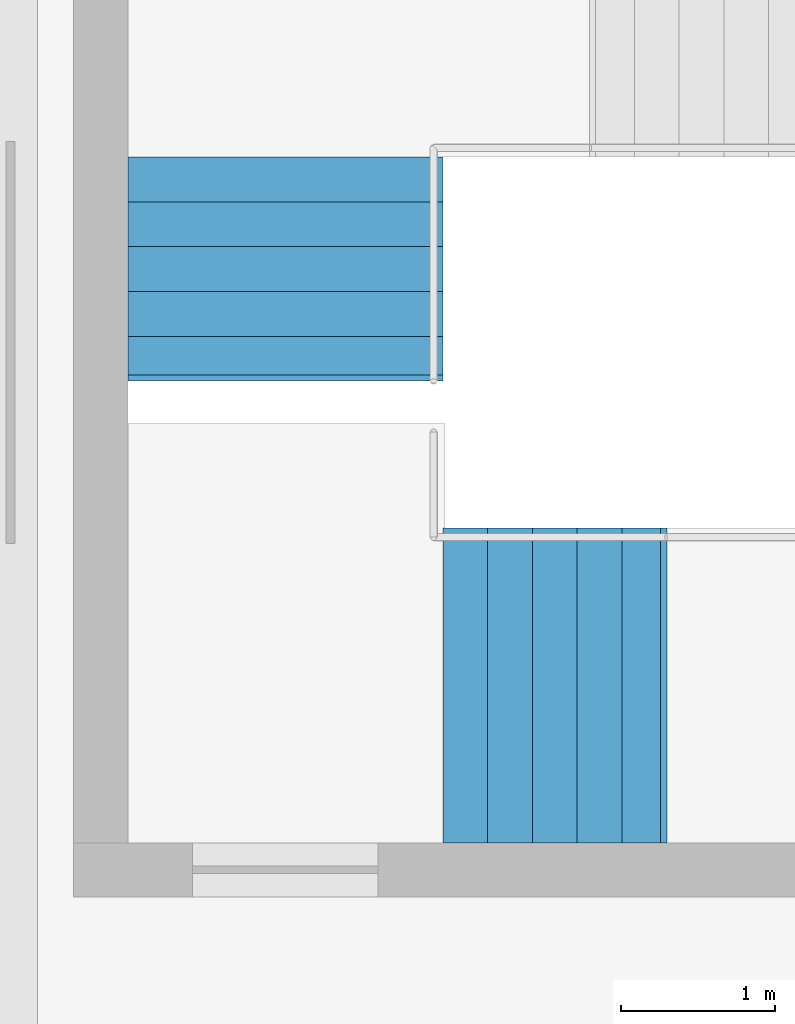
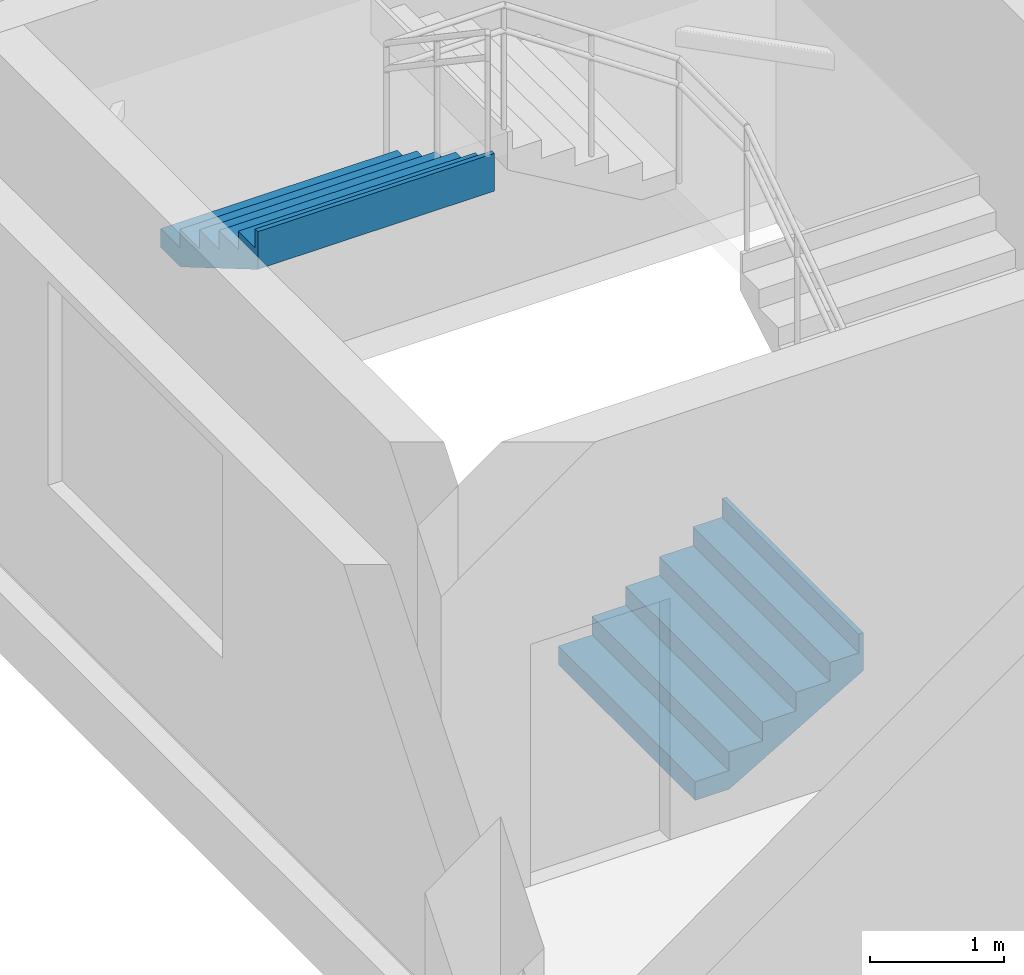
# One storey, part 59 of 66: 2 stair flights, 1 element without a shape of its own.
"""IFC4 building model written with IfcOpenShell, lengths in metres."""

from ifc_helpers import new_model, si_unit, direction, frame, origin, place, context, subcontext, project, spatial, triangles, material, type_object, element, aggregate, save


model = new_model("IFC4")

# Units and contexts
model_context = context("Model", 3, precision=1e-05, world=origin(), true_north=direction((0.0, 1.0)))
body_context = subcontext(model_context, "Body", "Model", "MODEL_VIEW")
ifc_project = project(units=[si_unit("LENGTHUNIT", "METRE"), si_unit("AREAUNIT", "SQUARE_METRE"), si_unit("VOLUMEUNIT", "CUBIC_METRE"), si_unit("PLANEANGLEUNIT", "RADIAN"), si_unit("MASSUNIT", "GRAM", prefix="KILO")], contexts=[model_context])

# Site, building, storey
site_placement = place(None, origin())
site = spatial("IfcSite", under=ifc_project, at=site_placement, CompositionType="ELEMENT")
building_placement = place(site_placement, origin())
building = spatial("IfcBuilding", under=site, at=building_placement, Name="Sillaruma Civic Art Gallery", CompositionType="ELEMENT")
storey_placement = place(building_placement, frame((0.0, 0.0, 62.219970703125)))
storey = spatial("IfcBuildingStorey", under=building, at=storey_placement, Name="L12", CompositionType="ELEMENT", Elevation=62.219970703125)

# Stair, stair flights
ifc_material = material(Name="Concrete H35 (35 MPa)", Category="concrete")
stair_type = type_object("IfcStairType", Name="STR-4F-24", PredefinedType="USERDEFINED", material=ifc_material)
stair_placement = place(storey_placement, origin())
stair = element("IfcStair", 1, at=stair_placement, inside=storey, type_object=stair_type, Name="Protected Exit Stair ST-03 (West Bar South) (L12)", ObjectType="THREE_RETURN_STAIR", PredefinedType="USERDEFINED")
stair_flight_type = type_object("IfcStairFlightType", Name="SFL-STR-6", PredefinedType="STRAIGHT", material=ifc_material)
stair_flight_1_placement = place(storey_placement, frame((64.800048828125, 32.429931640625, 0.0), z_axis=(0.0, 0.0, 1.0), x_axis=(1.0, 0.0, 0.0)))
stair_flight_1 = element("IfcStairFlight", 2, at=stair_flight_1_placement, type_object=stair_flight_type, Name="ST-03 flight 1", NumberOfRisers=6, NumberOfTreads=5, PredefinedType="STRAIGHT", RiserHeight=0.17, TreadLength=0.29, context=body_context, shape_type="Tessellation", body=[
    triangles([(0.0, -1.02001953125, 0.0), (0.29, -1.02001953125, 0.0), (0.296365, -1.02001953125, 0.0), (0.58, -1.02001953125, 0.166269), (0.87, -1.02001953125, 0.336269), (1.16, -1.02001953125, 0.506269), (1.409951, -1.02001953125, 0.652792), (1.449951, -1.02001953125, 0.67624), (1.449951, -1.02001953125, 1.02), (1.409951, -1.02001953125, 1.02), (1.409951, -1.02001953125, 0.85), (1.16, -1.02001953125, 0.85), (1.16, -1.02001953125, 0.68), (0.87, -1.02001953125, 0.68), (0.87, -1.02001953125, 0.51), (0.58, -1.02001953125, 0.51), (0.58, -1.02001953125, 0.34), (0.296365, -1.02001953125, 0.34), (0.29, -1.02001953125, 0.34), (0.29, -1.02001953125, 0.17), (0.0, -1.02001953125, 0.17), (0.0, -0.05, 0.0), (0.29, -0.05, 0.0), (0.296365, -0.05, 0.0), (0.58, -0.05, 0.166269), (0.87, -0.05, 0.336269), (1.16, -0.05, 0.506269), (1.409951, -0.05, 0.652792), (1.449951, -0.05, 0.67624), (1.449951, -0.05, 1.02), (1.409951, -0.05, 1.02), (1.409951, -0.05, 0.85), (1.16, -0.05, 0.85), (1.16, -0.05, 0.68), (0.87, -0.05, 0.68), (0.87, -0.05, 0.51), (0.58, -0.05, 0.51), (0.58, -0.05, 0.34), (0.296365, -0.05, 0.34), (0.29, -0.05, 0.34), (0.29, -0.05, 0.17), (0.0, -0.05, 0.17), (0.0, -0.0375, 0.0), (0.29, -0.0375, 0.0), (0.296365, -0.0375, 0.0), (0.58, -0.0375, 0.166269), (0.87, -0.0375, 0.336269), (1.16, -0.0375, 0.506269), (1.409951, -0.0375, 0.652792), (1.449951, -0.0375, 0.67624), (1.449951, -0.0375, 1.02), (1.409951, -0.0375, 1.02), (1.409951, -0.0375, 0.85), (1.16, -0.0375, 0.85), (1.16, -0.0375, 0.68), (0.87, -0.0375, 0.68), (0.87, -0.0375, 0.51), (0.58, -0.0375, 0.51), (0.58, -0.0375, 0.34), (0.296365, -0.0375, 0.34), (0.29, -0.0375, 0.34), (0.29, -0.0375, 0.17), (0.0, -0.0375, 0.17), (0.0, -0.025, 0.0), (0.29, -0.025, 0.0), (0.296365, -0.025, 0.0), (0.58, -0.025, 0.166269), (0.87, -0.025, 0.336269), (1.16, -0.025, 0.506269), (1.409951, -0.025, 0.652792), (1.449951, -0.025, 0.67624), (1.449951, -0.025, 1.02), (1.409951, -0.025, 1.02), (1.409951, -0.025, 0.85), (1.16, -0.025, 0.85), (1.16, -0.025, 0.68), (0.87, -0.025, 0.68), (0.87, -0.025, 0.51), (0.58, -0.025, 0.51), (0.58, -0.025, 0.34), (0.296365, -0.025, 0.34), (0.29, -0.025, 0.34), (0.29, -0.025, 0.17), (0.0, -0.025, 0.17), (0.0, -0.0125, 0.0), (0.29, -0.0125, 0.0), (0.296365, -0.0125, 0.0), (0.58, -0.0125, 0.166269), (0.87, -0.0125, 0.336269), (1.16, -0.0125, 0.506269), (1.409951, -0.0125, 0.652792), (1.449951, -0.0125, 0.67624), (1.449951, -0.0125, 1.02), (1.409951, -0.0125, 1.02), (1.409951, -0.0125, 0.85), (1.16, -0.0125, 0.85), (1.16, -0.0125, 0.68), (0.87, -0.0125, 0.68), (0.87, -0.0125, 0.51), (0.58, -0.0125, 0.51), (0.58, -0.0125, 0.34), (0.296365, -0.0125, 0.34), (0.29, -0.0125, 0.34), (0.29, -0.0125, 0.17), (0.0, -0.0125, 0.17), (0.0, 0.0, 0.0), (0.29, 0.0, 0.0), (0.296365, 0.0, 0.0), (0.58, 0.0, 0.166269), (0.87, 0.0, 0.336269), (1.16, 0.0, 0.506269), (1.409951, 0.0, 0.652792), (1.449951, 0.0, 0.67624), (1.449951, 0.0, 1.02), (1.409951, 0.0, 1.02), (1.409951, 0.0, 0.85), (1.16, 0.0, 0.85), (1.16, 0.0, 0.68), (0.87, 0.0, 0.68), (0.87, 0.0, 0.51), (0.58, 0.0, 0.51), (0.58, 0.0, 0.34), (0.296365, 0.0, 0.34), (0.29, 0.0, 0.34), (0.29, 0.0, 0.17), (0.0, 0.0, 0.17), (0.0, 0.0125, 0.0), (0.29, 0.0125, 0.0), (0.296365, 0.0125, 0.0), (0.58, 0.0125, 0.166269), (0.87, 0.0125, 0.336269), (1.16, 0.0125, 0.506269), (1.409951, 0.0125, 0.652792), (1.449951, 0.0125, 0.67624), (1.449951, 0.0125, 1.02), (1.409951, 0.0125, 1.02), (1.409951, 0.0125, 0.85), (1.16, 0.0125, 0.85), (1.16, 0.0125, 0.68), (0.87, 0.0125, 0.68), (0.87, 0.0125, 0.51), (0.58, 0.0125, 0.51), (0.58, 0.0125, 0.34), (0.296365, 0.0125, 0.34), (0.29, 0.0125, 0.34), (0.29, 0.0125, 0.17), (0.0, 0.0125, 0.17), (0.0, 0.025, 0.0), (0.29, 0.025, 0.0), (0.296365, 0.025, 0.0), (0.58, 0.025, 0.166269), (0.87, 0.025, 0.336269), (1.16, 0.025, 0.506269), (1.409951, 0.025, 0.652792), (1.449951, 0.025, 0.67624), (1.449951, 0.025, 1.02), (1.409951, 0.025, 1.02), (1.409951, 0.025, 0.85), (1.16, 0.025, 0.85), (1.16, 0.025, 0.68), (0.87, 0.025, 0.68), (0.87, 0.025, 0.51), (0.58, 0.025, 0.51), (0.58, 0.025, 0.34), (0.296365, 0.025, 0.34), (0.29, 0.025, 0.34), (0.29, 0.025, 0.17), (0.0, 0.025, 0.17), (0.0, 0.0375, 0.0), (0.29, 0.0375, 0.0), (0.296365, 0.0375, 0.0), (0.58, 0.0375, 0.166269), (0.87, 0.0375, 0.336269), (1.16, 0.0375, 0.506269), (1.409951, 0.0375, 0.652792), (1.449951, 0.0375, 0.67624), (1.449951, 0.0375, 1.02), (1.409951, 0.0375, 1.02), (1.409951, 0.0375, 0.85), (1.16, 0.0375, 0.85), (1.16, 0.0375, 0.68), (0.87, 0.0375, 0.68), (0.87, 0.0375, 0.51), (0.58, 0.0375, 0.51), (0.58, 0.0375, 0.34), (0.296365, 0.0375, 0.34), (0.29, 0.0375, 0.34), (0.29, 0.0375, 0.17), (0.0, 0.0375, 0.17), (0.0, 0.05, 0.0), (0.29, 0.05, 0.0), (0.296365, 0.05, 0.0), (0.58, 0.05, 0.166269), (0.87, 0.05, 0.336269), (1.16, 0.05, 0.506269), (1.409951, 0.05, 0.652792), (1.449951, 0.05, 0.67624), (1.449951, 0.05, 1.02), (1.409951, 0.05, 1.02), (1.409951, 0.05, 0.85), (1.16, 0.05, 0.85), (1.16, 0.05, 0.68), (0.87, 0.05, 0.68), (0.87, 0.05, 0.51), (0.58, 0.05, 0.51), (0.58, 0.05, 0.34), (0.296365, 0.05, 0.34), (0.29, 0.05, 0.34), (0.29, 0.05, 0.17), (0.0, 0.05, 0.17), (0.0, 1.02001953125, 0.0), (0.29, 1.02001953125, 0.0), (0.296365, 1.02001953125, 0.0), (0.58, 1.02001953125, 0.166269), (0.87, 1.02001953125, 0.336269), (1.16, 1.02001953125, 0.506269), (1.409951, 1.02001953125, 0.652792), (1.449951, 1.02001953125, 0.67624), (1.449951, 1.02001953125, 1.02), (1.409951, 1.02001953125, 1.02), (1.409951, 1.02001953125, 0.85), (1.16, 1.02001953125, 0.85), (1.16, 1.02001953125, 0.68), (0.87, 1.02001953125, 0.68), (0.87, 1.02001953125, 0.51), (0.58, 1.02001953125, 0.51), (0.58, 1.02001953125, 0.34), (0.296365, 1.02001953125, 0.34), (0.29, 1.02001953125, 0.34), (0.29, 1.02001953125, 0.17), (0.0, 1.02001953125, 0.17)], [[1, 2, 20], [1, 20, 21], [2, 3, 18], [2, 18, 20], [20, 18, 19], [3, 4, 17], [3, 17, 18], [4, 5, 15], [4, 15, 17], [17, 15, 16], [5, 6, 13], [5, 13, 15], [15, 13, 14], [6, 7, 11], [6, 11, 13], [13, 11, 12], [7, 8, 9], [7, 9, 11], [11, 9, 10], [230, 212, 211], [231, 230, 211], [228, 213, 212], [230, 228, 212], [229, 228, 230], [227, 214, 213], [228, 227, 213], [225, 215, 214], [227, 225, 214], [226, 225, 227], [223, 216, 215], [225, 223, 215], [224, 223, 225], [221, 217, 216], [223, 221, 216], [222, 221, 223], [219, 218, 217], [221, 219, 217], [220, 219, 221], [2, 1, 22], [2, 22, 23], [3, 2, 23], [3, 23, 24], [4, 3, 24], [4, 24, 25], [5, 4, 25], [5, 25, 26], [6, 5, 26], [6, 26, 27], [7, 6, 27], [7, 27, 28], [8, 7, 28], [8, 28, 29], [9, 8, 29], [9, 29, 30], [10, 9, 30], [10, 30, 31], [11, 10, 31], [11, 31, 32], [12, 11, 32], [12, 32, 33], [13, 12, 33], [13, 33, 34], [14, 13, 34], [14, 34, 35], [15, 14, 35], [15, 35, 36], [16, 15, 36], [16, 36, 37], [17, 16, 37], [17, 37, 38], [18, 17, 38], [18, 38, 39], [19, 18, 39], [19, 39, 40], [20, 19, 40], [20, 40, 41], [21, 20, 41], [21, 41, 42], [1, 21, 42], [1, 42, 22], [23, 22, 43], [23, 43, 44], [24, 23, 44], [24, 44, 45], [25, 24, 45], [25, 45, 46], [26, 25, 46], [26, 46, 47], [27, 26, 47], [27, 47, 48], [28, 27, 48], [28, 48, 49], [29, 28, 49], [29, 49, 50], [30, 29, 50], [30, 50, 51], [31, 30, 51], [31, 51, 52], [32, 31, 52], [32, 52, 53], [33, 32, 53], [33, 53, 54], [34, 33, 54], [34, 54, 55], [35, 34, 55], [35, 55, 56], [36, 35, 56], [36, 56, 57], [37, 36, 57], [37, 57, 58], [38, 37, 58], [38, 58, 59], [39, 38, 59], [39, 59, 60], [40, 39, 60], [40, 60, 61], [41, 40, 61], [41, 61, 62], [42, 41, 62], [42, 62, 63], [22, 42, 63], [22, 63, 43], [44, 43, 64], [44, 64, 65], [45, 44, 65], [45, 65, 66], [46, 45, 66], [46, 66, 67], [47, 46, 67], [47, 67, 68], [48, 47, 68], [48, 68, 69], [49, 48, 69], [49, 69, 70], [50, 49, 70], [50, 70, 71], [51, 50, 71], [51, 71, 72], [52, 51, 72], [52, 72, 73], [53, 52, 73], [53, 73, 74], [54, 53, 74], [54, 74, 75], [55, 54, 75], [55, 75, 76], [56, 55, 76], [56, 76, 77], [57, 56, 77], [57, 77, 78], [58, 57, 78], [58, 78, 79], [59, 58, 79], [59, 79, 80], [60, 59, 80], [60, 80, 81], [61, 60, 81], [61, 81, 82], [62, 61, 82], [62, 82, 83], [63, 62, 83], [63, 83, 84], [43, 63, 84], [43, 84, 64], [65, 64, 85], [65, 85, 86], [66, 65, 86], [66, 86, 87], [67, 66, 87], [67, 87, 88], [68, 67, 88], [68, 88, 89], [69, 68, 89], [69, 89, 90], [70, 69, 90], [70, 90, 91], [71, 70, 91], [71, 91, 92], [72, 71, 92], [72, 92, 93], [73, 72, 93], [73, 93, 94], [74, 73, 94], [74, 94, 95], [75, 74, 95], [75, 95, 96], [76, 75, 96], [76, 96, 97], [77, 76, 97], [77, 97, 98], [78, 77, 98], [78, 98, 99], [79, 78, 99], [79, 99, 100], [80, 79, 100], [80, 100, 101], [81, 80, 101], [81, 101, 102], [82, 81, 102], [82, 102, 103], [83, 82, 103], [83, 103, 104], [84, 83, 104], [84, 104, 105], [64, 84, 105], [64, 105, 85], [86, 85, 106], [86, 106, 107], [87, 86, 107], [87, 107, 108], [88, 87, 108], [88, 108, 109], [89, 88, 109], [89, 109, 110], [90, 89, 110], [90, 110, 111], [91, 90, 111], [91, 111, 112], [92, 91, 112], [92, 112, 113], [93, 92, 113], [93, 113, 114], [94, 93, 114], [94, 114, 115], [95, 94, 115], [95, 115, 116], [96, 95, 116], [96, 116, 117], [97, 96, 117], [97, 117, 118], [98, 97, 118], [98, 118, 119], [99, 98, 119], [99, 119, 120], [100, 99, 120], [100, 120, 121], [101, 100, 121], [101, 121, 122], [102, 101, 122], [102, 122, 123], [103, 102, 123], [103, 123, 124], [104, 103, 124], [104, 124, 125], [105, 104, 125], [105, 125, 126], [85, 105, 126], [85, 126, 106], [107, 106, 127], [107, 127, 128], [108, 107, 128], [108, 128, 129], [109, 108, 129], [109, 129, 130], [110, 109, 130], [110, 130, 131], [111, 110, 131], [111, 131, 132], [112, 111, 132], [112, 132, 133], [113, 112, 133], [113, 133, 134], [114, 113, 134], [114, 134, 135], [115, 114, 135], [115, 135, 136], [116, 115, 136], [116, 136, 137], [117, 116, 137], [117, 137, 138], [118, 117, 138], [118, 138, 139], [119, 118, 139], [119, 139, 140], [120, 119, 140], [120, 140, 141], [121, 120, 141], [121, 141, 142], [122, 121, 142], [122, 142, 143], [123, 122, 143], [123, 143, 144], [124, 123, 144], [124, 144, 145], [125, 124, 145], [125, 145, 146], [126, 125, 146], [126, 146, 147], [106, 126, 147], [106, 147, 127], [128, 127, 148], [128, 148, 149], [129, 128, 149], [129, 149, 150], [130, 129, 150], [130, 150, 151], [131, 130, 151], [131, 151, 152], [132, 131, 152], [132, 152, 153], [133, 132, 153], [133, 153, 154], [134, 133, 154], [134, 154, 155], [135, 134, 155], [135, 155, 156], [136, 135, 156], [136, 156, 157], [137, 136, 157], [137, 157, 158], [138, 137, 158], [138, 158, 159], [139, 138, 159], [139, 159, 160], [140, 139, 160], [140, 160, 161], [141, 140, 161], [141, 161, 162], [142, 141, 162], [142, 162, 163], [143, 142, 163], [143, 163, 164], [144, 143, 164], [144, 164, 165], [145, 144, 165], [145, 165, 166], [146, 145, 166], [146, 166, 167], [147, 146, 167], [147, 167, 168], [127, 147, 168], [127, 168, 148], [149, 148, 169], [149, 169, 170], [150, 149, 170], [150, 170, 171], [151, 150, 171], [151, 171, 172], [152, 151, 172], [152, 172, 173], [153, 152, 173], [153, 173, 174], [154, 153, 174], [154, 174, 175], [155, 154, 175], [155, 175, 176], [156, 155, 176], [156, 176, 177], [157, 156, 177], [157, 177, 178], [158, 157, 178], [158, 178, 179], [159, 158, 179], [159, 179, 180], [160, 159, 180], [160, 180, 181], [161, 160, 181], [161, 181, 182], [162, 161, 182], [162, 182, 183], [163, 162, 183], [163, 183, 184], [164, 163, 184], [164, 184, 185], [165, 164, 185], [165, 185, 186], [166, 165, 186], [166, 186, 187], [167, 166, 187], [167, 187, 188], [168, 167, 188], [168, 188, 189], [148, 168, 189], [148, 189, 169], [170, 169, 190], [170, 190, 191], [171, 170, 191], [171, 191, 192], [172, 171, 192], [172, 192, 193], [173, 172, 193], [173, 193, 194], [174, 173, 194], [174, 194, 195], [175, 174, 195], [175, 195, 196], [176, 175, 196], [176, 196, 197], [177, 176, 197], [177, 197, 198], [178, 177, 198], [178, 198, 199], [179, 178, 199], [179, 199, 200], [180, 179, 200], [180, 200, 201], [181, 180, 201], [181, 201, 202], [182, 181, 202], [182, 202, 203], [183, 182, 203], [183, 203, 204], [184, 183, 204], [184, 204, 205], [185, 184, 205], [185, 205, 206], [186, 185, 206], [186, 206, 207], [187, 186, 207], [187, 207, 208], [188, 187, 208], [188, 208, 209], [189, 188, 209], [189, 209, 210], [169, 189, 210], [169, 210, 190], [191, 190, 211], [191, 211, 212], [192, 191, 212], [192, 212, 213], [193, 192, 213], [193, 213, 214], [194, 193, 214], [194, 214, 215], [195, 194, 215], [195, 215, 216], [196, 195, 216], [196, 216, 217], [197, 196, 217], [197, 217, 218], [198, 197, 218], [198, 218, 219], [199, 198, 219], [199, 219, 220], [200, 199, 220], [200, 220, 221], [201, 200, 221], [201, 221, 222], [202, 201, 222], [202, 222, 223], [203, 202, 223], [203, 223, 224], [204, 203, 224], [204, 224, 225], [205, 204, 225], [205, 225, 226], [206, 205, 226], [206, 226, 227], [207, 206, 227], [207, 227, 228], [208, 207, 228], [208, 228, 229], [209, 208, 229], [209, 229, 230], [210, 209, 230], [210, 230, 231], [190, 210, 231], [190, 231, 211]], closed=True),
])
stair_flight_2_placement = place(storey_placement, frame((63.780029296875, 35.85009765625, 3.06005859375), z_axis=(0.0, 0.0, 1.0), x_axis=(0.0, -1.0, 0.0)))
stair_flight_2 = element("IfcStairFlight", 3, at=stair_flight_2_placement, type_object=stair_flight_type, Name="ST-03 flight 4", NumberOfRisers=6, NumberOfTreads=5, PredefinedType="STRAIGHT", RiserHeight=0.17, TreadLength=0.29, context=body_context, shape_type="Tessellation", body=[
    triangles([(0.0, -1.02001953125, 0.0), (0.29, -1.02001953125, 0.0), (0.296365, -1.02001953125, 0.0), (0.58, -1.02001953125, 0.166269), (0.87, -1.02001953125, 0.336269), (1.16, -1.02001953125, 0.506269), (1.409951, -1.02001953125, 0.652792), (1.449951, -1.02001953125, 0.67624), (1.449951, -1.02001953125, 1.02), (1.409951, -1.02001953125, 1.02), (1.409951, -1.02001953125, 0.85), (1.16, -1.02001953125, 0.85), (1.16, -1.02001953125, 0.68), (0.87, -1.02001953125, 0.68), (0.87, -1.02001953125, 0.51), (0.58, -1.02001953125, 0.51), (0.58, -1.02001953125, 0.34), (0.296365, -1.02001953125, 0.34), (0.29, -1.02001953125, 0.34), (0.29, -1.02001953125, 0.17), (0.0, -1.02001953125, 0.17), (0.0, -0.05, 0.0), (0.29, -0.05, 0.0), (0.296365, -0.05, 0.0), (0.58, -0.05, 0.166269), (0.87, -0.05, 0.336269), (1.16, -0.05, 0.506269), (1.409951, -0.05, 0.652792), (1.449951, -0.05, 0.67624), (1.449951, -0.05, 1.02), (1.409951, -0.05, 1.02), (1.409951, -0.05, 0.85), (1.16, -0.05, 0.85), (1.16, -0.05, 0.68), (0.87, -0.05, 0.68), (0.87, -0.05, 0.51), (0.58, -0.05, 0.51), (0.58, -0.05, 0.34), (0.296365, -0.05, 0.34), (0.29, -0.05, 0.34), (0.29, -0.05, 0.17), (0.0, -0.05, 0.17), (0.0, -0.0375, 0.0), (0.29, -0.0375, 0.0), (0.296365, -0.0375, 0.0), (0.58, -0.0375, 0.166269), (0.87, -0.0375, 0.336269), (1.16, -0.0375, 0.506269), (1.409951, -0.0375, 0.652792), (1.449951, -0.0375, 0.67624), (1.449951, -0.0375, 1.02), (1.409951, -0.0375, 1.02), (1.409951, -0.0375, 0.85), (1.16, -0.0375, 0.85), (1.16, -0.0375, 0.68), (0.87, -0.0375, 0.68), (0.87, -0.0375, 0.51), (0.58, -0.0375, 0.51), (0.58, -0.0375, 0.34), (0.296365, -0.0375, 0.34), (0.29, -0.0375, 0.34), (0.29, -0.0375, 0.17), (0.0, -0.0375, 0.17), (0.0, -0.025, 0.0), (0.29, -0.025, 0.0), (0.296365, -0.025, 0.0), (0.58, -0.025, 0.166269), (0.87, -0.025, 0.336269), (1.16, -0.025, 0.506269), (1.409951, -0.025, 0.652792), (1.449951, -0.025, 0.67624), (1.449951, -0.025, 1.02), (1.409951, -0.025, 1.02), (1.409951, -0.025, 0.85), (1.16, -0.025, 0.85), (1.16, -0.025, 0.68), (0.87, -0.025, 0.68), (0.87, -0.025, 0.51), (0.58, -0.025, 0.51), (0.58, -0.025, 0.34), (0.296365, -0.025, 0.34), (0.29, -0.025, 0.34), (0.29, -0.025, 0.17), (0.0, -0.025, 0.17), (0.0, -0.0125, 0.0), (0.29, -0.0125, 0.0), (0.296365, -0.0125, 0.0), (0.58, -0.0125, 0.166269), (0.87, -0.0125, 0.336269), (1.16, -0.0125, 0.506269), (1.409951, -0.0125, 0.652792), (1.449951, -0.0125, 0.67624), (1.449951, -0.0125, 1.02), (1.409951, -0.0125, 1.02), (1.409951, -0.0125, 0.85), (1.16, -0.0125, 0.85), (1.16, -0.0125, 0.68), (0.87, -0.0125, 0.68), (0.87, -0.0125, 0.51), (0.58, -0.0125, 0.51), (0.58, -0.0125, 0.34), (0.296365, -0.0125, 0.34), (0.29, -0.0125, 0.34), (0.29, -0.0125, 0.17), (0.0, -0.0125, 0.17), (0.0, 0.0, 0.0), (0.29, 0.0, 0.0), (0.296365, 0.0, 0.0), (0.58, 0.0, 0.166269), (0.87, 0.0, 0.336269), (1.16, 0.0, 0.506269), (1.409951, 0.0, 0.652792), (1.449951, 0.0, 0.67624), (1.449951, 0.0, 1.02), (1.409951, 0.0, 1.02), (1.409951, 0.0, 0.85), (1.16, 0.0, 0.85), (1.16, 0.0, 0.68), (0.87, 0.0, 0.68), (0.87, 0.0, 0.51), (0.58, 0.0, 0.51), (0.58, 0.0, 0.34), (0.296365, 0.0, 0.34), (0.29, 0.0, 0.34), (0.29, 0.0, 0.17), (0.0, 0.0, 0.17), (0.0, 0.0125, 0.0), (0.29, 0.0125, 0.0), (0.296365, 0.0125, 0.0), (0.58, 0.0125, 0.166269), (0.87, 0.0125, 0.336269), (1.16, 0.0125, 0.506269), (1.409951, 0.0125, 0.652792), (1.449951, 0.0125, 0.67624), (1.449951, 0.0125, 1.02), (1.409951, 0.0125, 1.02), (1.409951, 0.0125, 0.85), (1.16, 0.0125, 0.85), (1.16, 0.0125, 0.68), (0.87, 0.0125, 0.68), (0.87, 0.0125, 0.51), (0.58, 0.0125, 0.51), (0.58, 0.0125, 0.34), (0.296365, 0.0125, 0.34), (0.29, 0.0125, 0.34), (0.29, 0.0125, 0.17), (0.0, 0.0125, 0.17), (0.0, 0.025, 0.0), (0.29, 0.025, 0.0), (0.296365, 0.025, 0.0), (0.58, 0.025, 0.166269), (0.87, 0.025, 0.336269), (1.16, 0.025, 0.506269), (1.409951, 0.025, 0.652792), (1.449951, 0.025, 0.67624), (1.449951, 0.025, 1.02), (1.409951, 0.025, 1.02), (1.409951, 0.025, 0.85), (1.16, 0.025, 0.85), (1.16, 0.025, 0.68), (0.87, 0.025, 0.68), (0.87, 0.025, 0.51), (0.58, 0.025, 0.51), (0.58, 0.025, 0.34), (0.296365, 0.025, 0.34), (0.29, 0.025, 0.34), (0.29, 0.025, 0.17), (0.0, 0.025, 0.17), (0.0, 0.0375, 0.0), (0.29, 0.0375, 0.0), (0.296365, 0.0375, 0.0), (0.58, 0.0375, 0.166269), (0.87, 0.0375, 0.336269), (1.16, 0.0375, 0.506269), (1.409951, 0.0375, 0.652792), (1.449951, 0.0375, 0.67624), (1.449951, 0.0375, 1.02), (1.409951, 0.0375, 1.02), (1.409951, 0.0375, 0.85), (1.16, 0.0375, 0.85), (1.16, 0.0375, 0.68), (0.87, 0.0375, 0.68), (0.87, 0.0375, 0.51), (0.58, 0.0375, 0.51), (0.58, 0.0375, 0.34), (0.296365, 0.0375, 0.34), (0.29, 0.0375, 0.34), (0.29, 0.0375, 0.17), (0.0, 0.0375, 0.17), (0.0, 0.05, 0.0), (0.29, 0.05, 0.0), (0.296365, 0.05, 0.0), (0.58, 0.05, 0.166269), (0.87, 0.05, 0.336269), (1.16, 0.05, 0.506269), (1.409951, 0.05, 0.652792), (1.449951, 0.05, 0.67624), (1.449951, 0.05, 1.02), (1.409951, 0.05, 1.02), (1.409951, 0.05, 0.85), (1.16, 0.05, 0.85), (1.16, 0.05, 0.68), (0.87, 0.05, 0.68), (0.87, 0.05, 0.51), (0.58, 0.05, 0.51), (0.58, 0.05, 0.34), (0.296365, 0.05, 0.34), (0.29, 0.05, 0.34), (0.29, 0.05, 0.17), (0.0, 0.05, 0.17), (0.0, 1.02001953125, 0.0), (0.29, 1.02001953125, 0.0), (0.296365, 1.02001953125, 0.0), (0.58, 1.02001953125, 0.166269), (0.87, 1.02001953125, 0.336269), (1.16, 1.02001953125, 0.506269), (1.409951, 1.02001953125, 0.652792), (1.449951, 1.02001953125, 0.67624), (1.449951, 1.02001953125, 1.02), (1.409951, 1.02001953125, 1.02), (1.409951, 1.02001953125, 0.85), (1.16, 1.02001953125, 0.85), (1.16, 1.02001953125, 0.68), (0.87, 1.02001953125, 0.68), (0.87, 1.02001953125, 0.51), (0.58, 1.02001953125, 0.51), (0.58, 1.02001953125, 0.34), (0.296365, 1.02001953125, 0.34), (0.29, 1.02001953125, 0.34), (0.29, 1.02001953125, 0.17), (0.0, 1.02001953125, 0.17)], [[1, 2, 20], [1, 20, 21], [2, 3, 18], [2, 18, 20], [20, 18, 19], [3, 4, 17], [3, 17, 18], [4, 5, 15], [4, 15, 17], [17, 15, 16], [5, 6, 13], [5, 13, 15], [15, 13, 14], [6, 7, 11], [6, 11, 13], [13, 11, 12], [7, 8, 9], [7, 9, 11], [11, 9, 10], [230, 212, 211], [231, 230, 211], [228, 213, 212], [230, 228, 212], [229, 228, 230], [227, 214, 213], [228, 227, 213], [225, 215, 214], [227, 225, 214], [226, 225, 227], [223, 216, 215], [225, 223, 215], [224, 223, 225], [221, 217, 216], [223, 221, 216], [222, 221, 223], [219, 218, 217], [221, 219, 217], [220, 219, 221], [2, 1, 22], [2, 22, 23], [3, 2, 23], [3, 23, 24], [4, 3, 24], [4, 24, 25], [5, 4, 25], [5, 25, 26], [6, 5, 26], [6, 26, 27], [7, 6, 27], [7, 27, 28], [8, 7, 28], [8, 28, 29], [9, 8, 29], [9, 29, 30], [10, 9, 30], [10, 30, 31], [11, 10, 31], [11, 31, 32], [12, 11, 32], [12, 32, 33], [13, 12, 33], [13, 33, 34], [14, 13, 34], [14, 34, 35], [15, 14, 35], [15, 35, 36], [16, 15, 36], [16, 36, 37], [17, 16, 37], [17, 37, 38], [18, 17, 38], [18, 38, 39], [19, 18, 39], [19, 39, 40], [20, 19, 40], [20, 40, 41], [21, 20, 41], [21, 41, 42], [1, 21, 42], [1, 42, 22], [23, 22, 43], [23, 43, 44], [24, 23, 44], [24, 44, 45], [25, 24, 45], [25, 45, 46], [26, 25, 46], [26, 46, 47], [27, 26, 47], [27, 47, 48], [28, 27, 48], [28, 48, 49], [29, 28, 49], [29, 49, 50], [30, 29, 50], [30, 50, 51], [31, 30, 51], [31, 51, 52], [32, 31, 52], [32, 52, 53], [33, 32, 53], [33, 53, 54], [34, 33, 54], [34, 54, 55], [35, 34, 55], [35, 55, 56], [36, 35, 56], [36, 56, 57], [37, 36, 57], [37, 57, 58], [38, 37, 58], [38, 58, 59], [39, 38, 59], [39, 59, 60], [40, 39, 60], [40, 60, 61], [41, 40, 61], [41, 61, 62], [42, 41, 62], [42, 62, 63], [22, 42, 63], [22, 63, 43], [44, 43, 64], [44, 64, 65], [45, 44, 65], [45, 65, 66], [46, 45, 66], [46, 66, 67], [47, 46, 67], [47, 67, 68], [48, 47, 68], [48, 68, 69], [49, 48, 69], [49, 69, 70], [50, 49, 70], [50, 70, 71], [51, 50, 71], [51, 71, 72], [52, 51, 72], [52, 72, 73], [53, 52, 73], [53, 73, 74], [54, 53, 74], [54, 74, 75], [55, 54, 75], [55, 75, 76], [56, 55, 76], [56, 76, 77], [57, 56, 77], [57, 77, 78], [58, 57, 78], [58, 78, 79], [59, 58, 79], [59, 79, 80], [60, 59, 80], [60, 80, 81], [61, 60, 81], [61, 81, 82], [62, 61, 82], [62, 82, 83], [63, 62, 83], [63, 83, 84], [43, 63, 84], [43, 84, 64], [65, 64, 85], [65, 85, 86], [66, 65, 86], [66, 86, 87], [67, 66, 87], [67, 87, 88], [68, 67, 88], [68, 88, 89], [69, 68, 89], [69, 89, 90], [70, 69, 90], [70, 90, 91], [71, 70, 91], [71, 91, 92], [72, 71, 92], [72, 92, 93], [73, 72, 93], [73, 93, 94], [74, 73, 94], [74, 94, 95], [75, 74, 95], [75, 95, 96], [76, 75, 96], [76, 96, 97], [77, 76, 97], [77, 97, 98], [78, 77, 98], [78, 98, 99], [79, 78, 99], [79, 99, 100], [80, 79, 100], [80, 100, 101], [81, 80, 101], [81, 101, 102], [82, 81, 102], [82, 102, 103], [83, 82, 103], [83, 103, 104], [84, 83, 104], [84, 104, 105], [64, 84, 105], [64, 105, 85], [86, 85, 106], [86, 106, 107], [87, 86, 107], [87, 107, 108], [88, 87, 108], [88, 108, 109], [89, 88, 109], [89, 109, 110], [90, 89, 110], [90, 110, 111], [91, 90, 111], [91, 111, 112], [92, 91, 112], [92, 112, 113], [93, 92, 113], [93, 113, 114], [94, 93, 114], [94, 114, 115], [95, 94, 115], [95, 115, 116], [96, 95, 116], [96, 116, 117], [97, 96, 117], [97, 117, 118], [98, 97, 118], [98, 118, 119], [99, 98, 119], [99, 119, 120], [100, 99, 120], [100, 120, 121], [101, 100, 121], [101, 121, 122], [102, 101, 122], [102, 122, 123], [103, 102, 123], [103, 123, 124], [104, 103, 124], [104, 124, 125], [105, 104, 125], [105, 125, 126], [85, 105, 126], [85, 126, 106], [107, 106, 127], [107, 127, 128], [108, 107, 128], [108, 128, 129], [109, 108, 129], [109, 129, 130], [110, 109, 130], [110, 130, 131], [111, 110, 131], [111, 131, 132], [112, 111, 132], [112, 132, 133], [113, 112, 133], [113, 133, 134], [114, 113, 134], [114, 134, 135], [115, 114, 135], [115, 135, 136], [116, 115, 136], [116, 136, 137], [117, 116, 137], [117, 137, 138], [118, 117, 138], [118, 138, 139], [119, 118, 139], [119, 139, 140], [120, 119, 140], [120, 140, 141], [121, 120, 141], [121, 141, 142], [122, 121, 142], [122, 142, 143], [123, 122, 143], [123, 143, 144], [124, 123, 144], [124, 144, 145], [125, 124, 145], [125, 145, 146], [126, 125, 146], [126, 146, 147], [106, 126, 147], [106, 147, 127], [128, 127, 148], [128, 148, 149], [129, 128, 149], [129, 149, 150], [130, 129, 150], [130, 150, 151], [131, 130, 151], [131, 151, 152], [132, 131, 152], [132, 152, 153], [133, 132, 153], [133, 153, 154], [134, 133, 154], [134, 154, 155], [135, 134, 155], [135, 155, 156], [136, 135, 156], [136, 156, 157], [137, 136, 157], [137, 157, 158], [138, 137, 158], [138, 158, 159], [139, 138, 159], [139, 159, 160], [140, 139, 160], [140, 160, 161], [141, 140, 161], [141, 161, 162], [142, 141, 162], [142, 162, 163], [143, 142, 163], [143, 163, 164], [144, 143, 164], [144, 164, 165], [145, 144, 165], [145, 165, 166], [146, 145, 166], [146, 166, 167], [147, 146, 167], [147, 167, 168], [127, 147, 168], [127, 168, 148], [149, 148, 169], [149, 169, 170], [150, 149, 170], [150, 170, 171], [151, 150, 171], [151, 171, 172], [152, 151, 172], [152, 172, 173], [153, 152, 173], [153, 173, 174], [154, 153, 174], [154, 174, 175], [155, 154, 175], [155, 175, 176], [156, 155, 176], [156, 176, 177], [157, 156, 177], [157, 177, 178], [158, 157, 178], [158, 178, 179], [159, 158, 179], [159, 179, 180], [160, 159, 180], [160, 180, 181], [161, 160, 181], [161, 181, 182], [162, 161, 182], [162, 182, 183], [163, 162, 183], [163, 183, 184], [164, 163, 184], [164, 184, 185], [165, 164, 185], [165, 185, 186], [166, 165, 186], [166, 186, 187], [167, 166, 187], [167, 187, 188], [168, 167, 188], [168, 188, 189], [148, 168, 189], [148, 189, 169], [170, 169, 190], [170, 190, 191], [171, 170, 191], [171, 191, 192], [172, 171, 192], [172, 192, 193], [173, 172, 193], [173, 193, 194], [174, 173, 194], [174, 194, 195], [175, 174, 195], [175, 195, 196], [176, 175, 196], [176, 196, 197], [177, 176, 197], [177, 197, 198], [178, 177, 198], [178, 198, 199], [179, 178, 199], [179, 199, 200], [180, 179, 200], [180, 200, 201], [181, 180, 201], [181, 201, 202], [182, 181, 202], [182, 202, 203], [183, 182, 203], [183, 203, 204], [184, 183, 204], [184, 204, 205], [185, 184, 205], [185, 205, 206], [186, 185, 206], [186, 206, 207], [187, 186, 207], [187, 207, 208], [188, 187, 208], [188, 208, 209], [189, 188, 209], [189, 209, 210], [169, 189, 210], [169, 210, 190], [191, 190, 211], [191, 211, 212], [192, 191, 212], [192, 212, 213], [193, 192, 213], [193, 213, 214], [194, 193, 214], [194, 214, 215], [195, 194, 215], [195, 215, 216], [196, 195, 216], [196, 216, 217], [197, 196, 217], [197, 217, 218], [198, 197, 218], [198, 218, 219], [199, 198, 219], [199, 219, 220], [200, 199, 220], [200, 220, 221], [201, 200, 221], [201, 221, 222], [202, 201, 222], [202, 222, 223], [203, 202, 223], [203, 223, 224], [204, 203, 224], [204, 224, 225], [205, 204, 225], [205, 225, 226], [206, 205, 226], [206, 226, 227], [207, 206, 227], [207, 227, 228], [208, 207, 228], [208, 228, 229], [209, 208, 229], [209, 229, 230], [210, 209, 230], [210, 230, 231], [190, 210, 231], [190, 231, 211]], closed=True),
])
aggregate(stair, [stair_flight_1, stair_flight_2])

save(model, "model.ifc")
